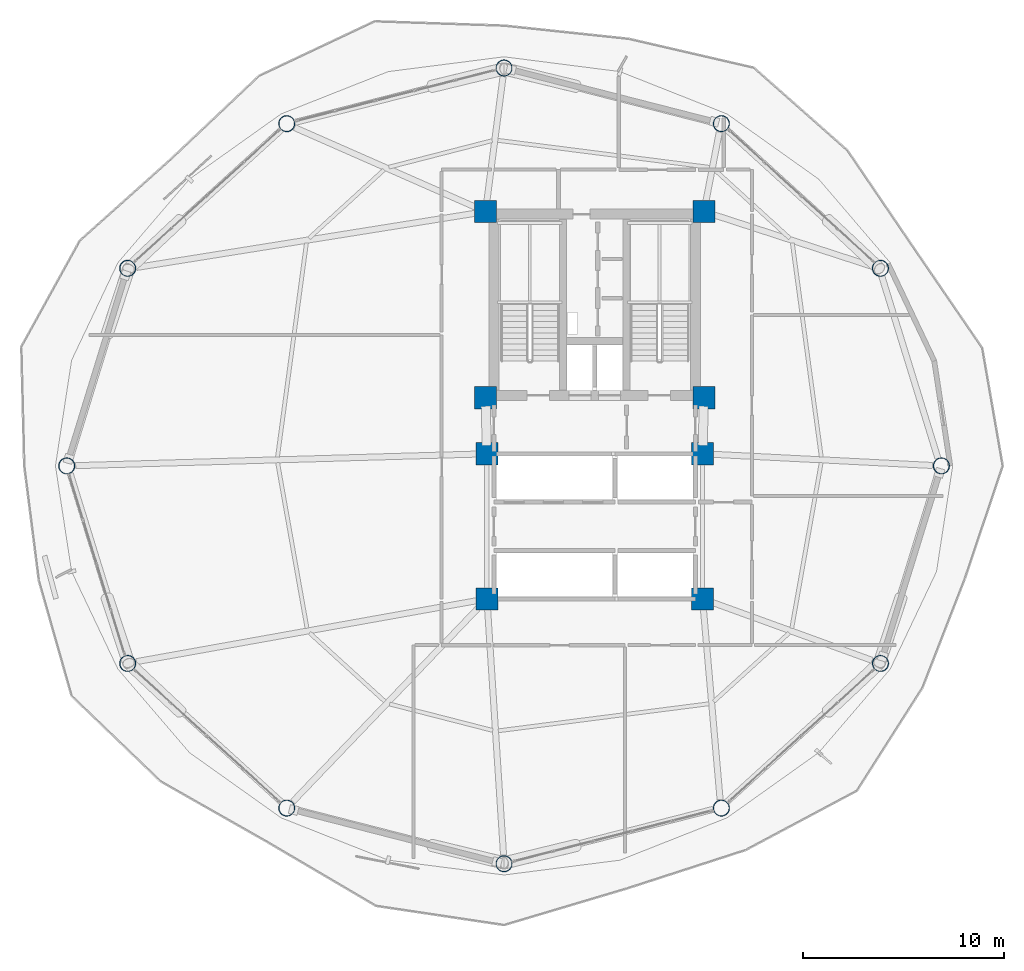
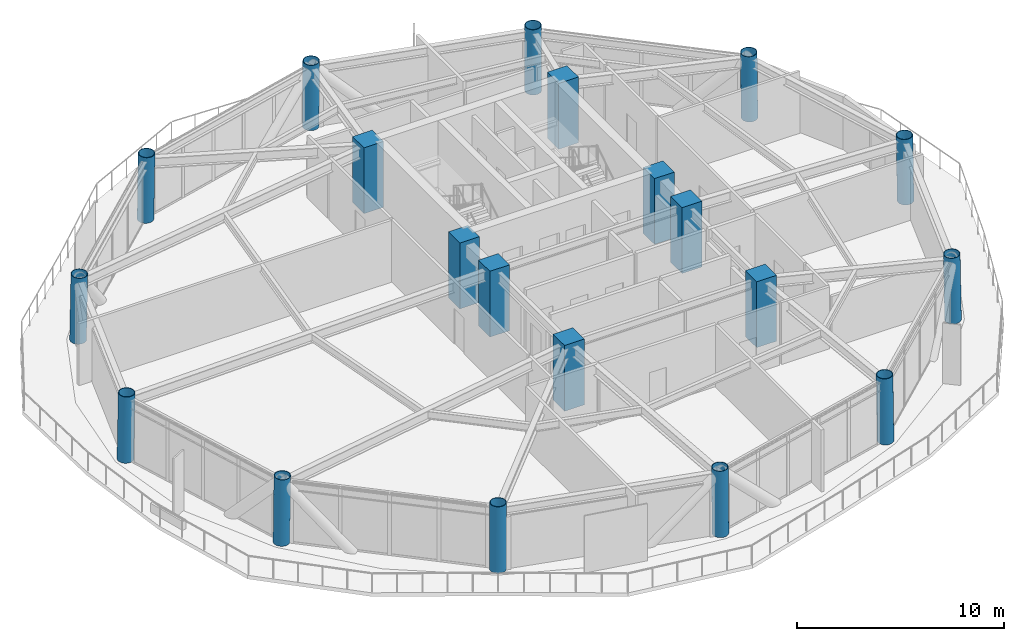
# One storey, part 1 of 26: 20 columns.
"""IFC4 building model written with IfcOpenShell, lengths in metres."""

from ifc_helpers import new_model, si_unit, direction, frame, origin, origin_2d, place, context, subcontext, project, spatial, rectangle, hollow_circle, extrude, material, material_profile, profile_set, type_object, element, save


model = new_model("IFC4")

# Units and contexts
model_context = context("Model", 3, precision=1e-05, world=origin(), true_north=direction((0.0, 1.0)))
body_context = subcontext(model_context, "Body", "Model", "MODEL_VIEW")
ifc_project = project(units=[si_unit("LENGTHUNIT", "METRE"), si_unit("AREAUNIT", "SQUARE_METRE"), si_unit("VOLUMEUNIT", "CUBIC_METRE"), si_unit("PLANEANGLEUNIT", "RADIAN"), si_unit("MASSUNIT", "GRAM", prefix="KILO")], contexts=[model_context])

# Site, building, storey
site_placement = place(None, origin())
site = spatial("IfcSite", under=ifc_project, at=site_placement, CompositionType="ELEMENT")
building_placement = place(site_placement, origin())
building = spatial("IfcBuilding", under=site, at=building_placement, Name="Varnakorn Sky Granary", CompositionType="ELEMENT")
storey_placement = place(building_placement, frame((0.0, 0.0, 95.39990234375)))
storey = spatial("IfcBuildingStorey", under=building, at=storey_placement, Name="L23", CompositionType="ELEMENT", Elevation=95.39990234375)

# Columns
ifc_material_1 = material(Name="Steel S460M", Category="steel")
ifc_material_profile_1 = material_profile(ifc_material_1, hollow_circle(Radius=0.406494140625, WallThickness=0.030029296875, at=origin_2d()), Name="CHS 813x30")
ifc_profile_set_1 = profile_set([ifc_material_profile_1], Name="Steel S460M")
column_type_1 = type_object("IfcColumnType", Name="COL-DC-Z2", PredefinedType="COLUMN", material=ifc_profile_set_1)
for number, where, z_axis, x_axis, name in (
    (1, (20.217041015625, 0.0, 0.0), (-0.017323508859, 0.0, 0.999849936761), (0.0, -1.0, 0.0), "Drum Perimeter Column DC01 L23"),
    (2, (17.190673828125, 9.81005859375, 0.0), (-0.014992982578, -0.006236576787, 0.999868149099), (0.384064389966, -0.923306311232, 0.0), "Drum Perimeter Column DC02 L23"),
    (3, (9.291015625, 16.991455078125, 0.0), (-0.008630730053, -0.010772663059, 0.999904725576), (0.780423354579, -0.625251459517, 0.0), "Drum Perimeter Column DC03 L23"),
):
    element("IfcColumn", number, at=place(storey_placement, frame(where, z_axis=z_axis, x_axis=x_axis)), inside=storey, type_object=column_type_1, Name=name, PredefinedType="COLUMN", context=body_context, shape_type="SweptSolid", body=[
        extrude(hollow_circle(Radius=0.406494140625, WallThickness=0.030029296875, at=origin_2d()), origin(), (0.0, 0.0, 1.0), 3.87548828125),
    ])
column_1_placement = place(storey_placement, frame((-1.5, 19.7548828125, 0.0), z_axis=(0.0, -0.012347848881, 0.999923762408), x_axis=(1.0, 0.0, 0.0)))
element("IfcColumn", 4, at=column_1_placement, inside=storey, type_object=column_type_1, Name="Drum Perimeter Column DC04 L23", PredefinedType="COLUMN", context=body_context, shape_type="SweptSolid", body=[
    extrude(hollow_circle(Radius=0.406494140625, WallThickness=0.030029296875, at=origin_2d()), origin(), (0.0, 0.0, 1.0), 3.875244140625),
])
for number, where, z_axis, x_axis, name in (
    (5, (-12.291015625, 16.991455078125, 0.0), (0.008630730053, -0.010772663059, 0.999904725576), (0.780423354579, 0.625251459517, 0.0), "Drum Perimeter Column DC05 L23"),
    (6, (-20.190673828125, 9.81005859375, 0.0), (0.014992982578, -0.006236576787, 0.999868149099), (0.384064389966, 0.923306311232, 0.0), "Drum Perimeter Column DC06 L23"),
    (7, (-23.217041015625, 0.0, 0.0), (0.017323508859, 0.0, 0.999849936761), (0.0, 1.0, 0.0), "Drum Perimeter Column DC07 L23"),
    (8, (-20.190673828125, -9.81005859375, 0.0), (0.014992982578, 0.006236576787, 0.999868149099), (-0.384064389966, 0.923306311232, 0.0), "Drum Perimeter Column DC08 L23"),
    (9, (-12.291015625, -16.991455078125, 0.0), (0.008630730053, 0.010772663059, 0.999904725576), (-0.780423354579, 0.625251459517, 0.0), "Drum Perimeter Column DC09 L23"),
):
    element("IfcColumn", number, at=place(storey_placement, frame(where, z_axis=z_axis, x_axis=x_axis)), inside=storey, type_object=column_type_1, Name=name, PredefinedType="COLUMN", context=body_context, shape_type="SweptSolid", body=[
        extrude(hollow_circle(Radius=0.406494140625, WallThickness=0.030029296875, at=origin_2d()), origin(), (0.0, 0.0, 1.0), 3.87548828125),
    ])
column_2_placement = place(storey_placement, frame((-1.5, -19.7548828125, 0.0), z_axis=(0.0, 0.012347848881, 0.999923762408), x_axis=(-1.0, 0.0, 0.0)))
element("IfcColumn", 10, at=column_2_placement, inside=storey, type_object=column_type_1, Name="Drum Perimeter Column DC10 L23", PredefinedType="COLUMN", context=body_context, shape_type="SweptSolid", body=[
    extrude(hollow_circle(Radius=0.406494140625, WallThickness=0.030029296875, at=origin_2d()), origin(), (0.0, 0.0, 1.0), 3.875244140625),
])
for number, where, z_axis, x_axis, name in (
    (11, (9.291015625, -16.991455078125, 0.0), (-0.008630730053, 0.010772663059, 0.999904725576), (-0.780423354579, -0.625251459517, 0.0), "Drum Perimeter Column DC11 L23"),
    (12, (17.190673828125, -9.81005859375, 0.0), (-0.014992982578, 0.006236576787, 0.999868149099), (-0.384064389966, -0.923306311232, 0.0), "Drum Perimeter Column DC12 L23"),
):
    element("IfcColumn", number, at=place(storey_placement, frame(where, z_axis=z_axis, x_axis=x_axis)), inside=storey, type_object=column_type_1, Name=name, PredefinedType="COLUMN", context=body_context, shape_type="SweptSolid", body=[
        extrude(hollow_circle(Radius=0.406494140625, WallThickness=0.030029296875, at=origin_2d()), origin(), (0.0, 0.0, 1.0), 3.87548828125),
    ])
ifc_material_2 = material(Name="Concrete C60/75", Category="concrete")
ifc_material_profile_2 = material_profile(ifc_material_2, rectangle(XDim=1.10009765625, YDim=1.10009765625, at=origin_2d()), Name="RC 1100x1100")
ifc_profile_set_2 = profile_set([ifc_material_profile_2], Name="Concrete C60/75")
column_type_2 = type_object("IfcColumnType", Name="COL-MC-Z2", PredefinedType="COLUMN", material=ifc_profile_set_2)
for number, where, z_axis, x_axis, name in (
    (13, (-2.419921875, 12.6201171875, 0.0), (0.0, 0.0, 1.0), (1.0, 0.0, 0.0), "Backbone Mega-Column MC1 L23"),
    (14, (8.419921875, 12.6201171875, 0.0), (0.0, 0.0, 1.0), (1.0, 0.0, 0.0), "Backbone Mega-Column MC2 L23"),
    (15, (-2.419921875, 3.3798828125, 0.0), (0.0, 0.0, 1.0), (1.0, 0.0, 0.0), "Backbone Mega-Column MC3 L23"),
    (16, (8.419921875, 3.3798828125, 0.0), (0.0, 0.0, 1.0), (1.0, 0.0, 0.0), "Backbone Mega-Column MC4 L23"),
    (17, (-2.35009765625, 0.60009765625, 0.0), (0.0, 0.0, 1.0), (1.0, 0.0, 0.0), "Backbone Mega-Column MC5 L23"),
    (18, (8.35009765625, 0.60009765625, 0.0), (0.0, 0.0, 1.0), (1.0, 0.0, 0.0), "Backbone Mega-Column MC6 L23"),
    (19, (-2.35009765625, -6.60009765625, 0.0), (0.0, 0.0, 1.0), (1.0, 0.0, 0.0), "Backbone Mega-Column MC7 L23"),
    (20, (8.35009765625, -6.60009765625, 0.0), (0.0, 0.0, 1.0), (1.0, 0.0, 0.0), "Backbone Mega-Column MC8 L23"),
):
    element("IfcColumn", number, at=place(storey_placement, frame(where, z_axis=z_axis, x_axis=x_axis)), inside=storey, type_object=column_type_2, Name=name, PredefinedType="COLUMN", context=body_context, shape_type="SweptSolid", body=[
        extrude(rectangle(XDim=1.10009765625, YDim=1.10009765625, at=origin_2d()), origin(), (0.0, 0.0, 1.0), 3.875),
    ])

save(model, "model.ifc")
